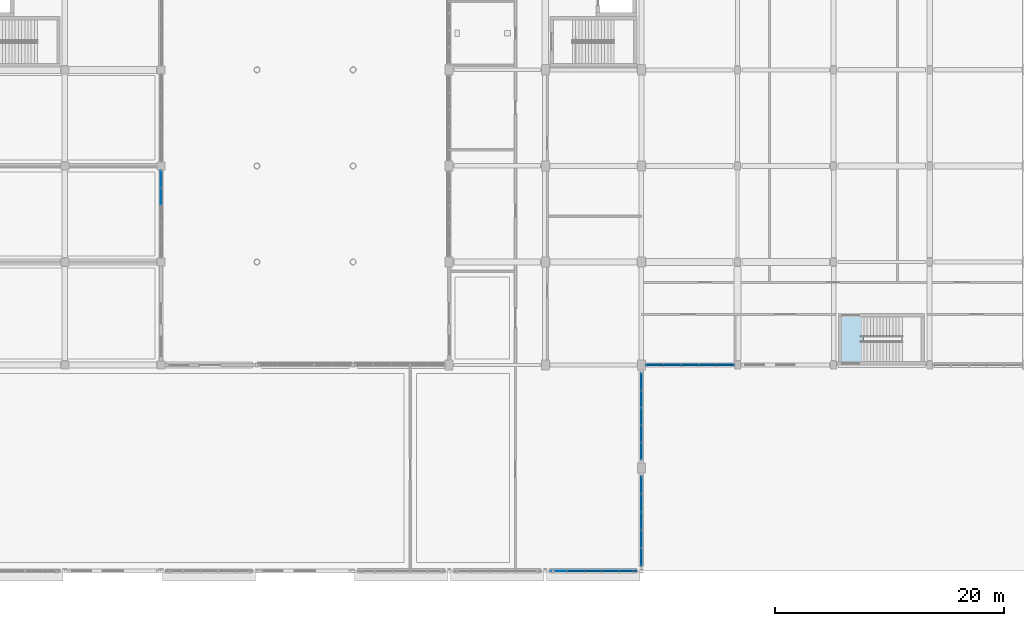
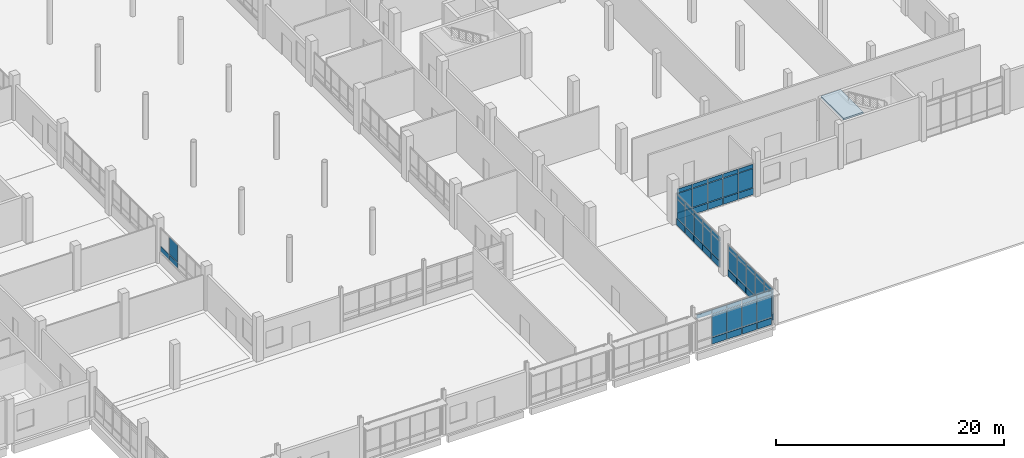
# One storey, part 65 of 95: 61 plates, 1 slab, 6 elements without a shape of their own.
"""IFC4 building model written with IfcOpenShell, lengths in metres."""

from ifc_helpers import new_model, si_unit, direction, frame, origin, origin_2d, place, context, subcontext, project, spatial, polyline, rectangle, outline, extrude, material, layer, layer_set, type_object, element, aggregate, save


model = new_model("IFC4")

# Units and contexts
model_context = context("Model", 3, precision=1e-05, world=origin(), true_north=direction((0.0, 1.0)))
body_context = subcontext(model_context, "Body", "Model", "MODEL_VIEW")
ifc_project = project(units=[si_unit("LENGTHUNIT", "METRE"), si_unit("AREAUNIT", "SQUARE_METRE"), si_unit("VOLUMEUNIT", "CUBIC_METRE"), si_unit("PLANEANGLEUNIT", "RADIAN"), si_unit("MASSUNIT", "GRAM", prefix="KILO")], contexts=[model_context])

# Site, building, storey
site_placement = place(None, origin())
site = spatial("IfcSite", under=ifc_project, at=site_placement, CompositionType="ELEMENT")
building_placement = place(site_placement, origin())
building = spatial("IfcBuilding", under=site, at=building_placement, Name="Vireocrest Preparatory School", CompositionType="ELEMENT")
storey_placement = place(building_placement, origin())
storey = spatial("IfcBuildingStorey", under=building, at=storey_placement, Name="L00", CompositionType="ELEMENT", Elevation=0.0)

# Curtain wall, plates
ifc_material_1 = material(Name="Thermally broken aluminium EN AW-6063-T6", Category="aluminium")
ifc_layer_1 = layer(ifc_material_1, 0.179931640625)
ifc_layer_set_1 = layer_set([ifc_layer_1], Name="Thermally broken aluminium EN AW-6063-T6")
curtain_wall_type_1 = type_object("IfcCurtainWallType", Name="Side Banded Curtain Wall 9000x3200", PredefinedType="USERDEFINED", material=ifc_layer_set_1)
curtain_wall_1_placement = place(storey_placement, origin())
curtain_wall_1 = element("IfcCurtainWall", 1, at=curtain_wall_1_placement, inside=storey, type_object=curtain_wall_type_1, Name="Curtain Wall CW09 CW_L00_CW09_1095_0180_000", ObjectType="CURTAIN WALL", PredefinedType="USERDEFINED")
ifc_material_2 = material(Name="Insulated triple low-e tempered safety glass", Category="glass")
ifc_layer_2 = layer(ifc_material_2, 0.074951171875)
ifc_layer_set_2 = layer_set([ifc_layer_2], Name="Insulated triple low-e tempered safety glass")
plate_type_1 = type_object("IfcPlateType", Name="Acoustic Triple-Glazed Lab Curtain Panel 75", PredefinedType="CURTAIN_PANEL", material=ifc_layer_set_2)
plate_1_placement = place(storey_placement, frame((110.35791015625, 18.0, 0.882568359375), z_axis=(0.0, 0.0, 1.0), x_axis=(1.0, 0.0, 0.0)))
plate_1 = element("IfcPlate", 2, at=plate_1_placement, type_object=plate_type_1, Name="CW Panel GL2 CW_L00_CW09_1095_0180_000-1-2", PredefinedType="CURTAIN_PANEL", context=body_context, shape_type="SweptSolid", body=[
    extrude(rectangle(XDim=1.48095703125, YDim=0.074951171875, at=origin_2d()), origin(), (0.0, 0.0, 1.0), 2.0048828125),
])
plate_2_placement = place(storey_placement, frame((110.35791015625, 18.0, 2.95263671875), z_axis=(0.0, 0.0, 1.0), x_axis=(1.0, 0.0, 0.0)))
plate_2 = element("IfcPlate", 3, at=plate_2_placement, type_object=plate_type_1, Name="CW Panel GL2 CW_L00_CW09_1095_0180_000-1-3", PredefinedType="CURTAIN_PANEL", context=body_context, shape_type="SweptSolid", body=[
    extrude(rectangle(XDim=1.48095703125, YDim=0.074951171875, at=origin_2d()), origin(), (0.0, 0.0, 1.0), 0.409912109375),
])
plate_3_placement = place(storey_placement, frame((111.904052734375, 18.0, 0.882568359375), z_axis=(0.0, 0.0, 1.0), x_axis=(1.0, 0.0, 0.0)))
plate_3 = element("IfcPlate", 4, at=plate_3_placement, type_object=plate_type_1, Name="CW Panel GL2 CW_L00_CW09_1095_0180_000-2-2", PredefinedType="CURTAIN_PANEL", context=body_context, shape_type="SweptSolid", body=[
    extrude(rectangle(XDim=1.48095703125, YDim=0.074951171875, at=origin_2d()), origin(), (0.0, 0.0, 1.0), 2.0048828125),
])
plate_4_placement = place(storey_placement, frame((111.904052734375, 18.0, 2.95263671875), z_axis=(0.0, 0.0, 1.0), x_axis=(1.0, 0.0, 0.0)))
plate_4 = element("IfcPlate", 5, at=plate_4_placement, type_object=plate_type_1, Name="CW Panel GL2 CW_L00_CW09_1095_0180_000-2-3", PredefinedType="CURTAIN_PANEL", context=body_context, shape_type="SweptSolid", body=[
    extrude(rectangle(XDim=1.48095703125, YDim=0.074951171875, at=origin_2d()), origin(), (0.0, 0.0, 1.0), 0.409912109375),
])
plate_5_placement = place(storey_placement, frame((113.449951171875, 18.0, 0.882568359375), z_axis=(0.0, 0.0, 1.0), x_axis=(1.0, 0.0, 0.0)))
plate_5 = element("IfcPlate", 6, at=plate_5_placement, type_object=plate_type_1, Name="CW Panel GL2 CW_L00_CW09_1095_0180_000-3-2", PredefinedType="CURTAIN_PANEL", context=body_context, shape_type="SweptSolid", body=[
    extrude(rectangle(XDim=1.48095703125, YDim=0.074951171875, at=origin_2d()), origin(), (0.0, 0.0, 1.0), 2.0048828125),
])
plate_6_placement = place(storey_placement, frame((113.449951171875, 18.0, 2.95263671875), z_axis=(0.0, 0.0, 1.0), x_axis=(1.0, 0.0, 0.0)))
plate_6 = element("IfcPlate", 7, at=plate_6_placement, type_object=plate_type_1, Name="CW Panel GL2 CW_L00_CW09_1095_0180_000-3-3", PredefinedType="CURTAIN_PANEL", context=body_context, shape_type="SweptSolid", body=[
    extrude(rectangle(XDim=1.48095703125, YDim=0.074951171875, at=origin_2d()), origin(), (0.0, 0.0, 1.0), 0.409912109375),
])
plate_7_placement = place(storey_placement, frame((114.99609375, 18.0, 0.882568359375), z_axis=(0.0, 0.0, 1.0), x_axis=(1.0, 0.0, 0.0)))
plate_7 = element("IfcPlate", 8, at=plate_7_placement, type_object=plate_type_1, Name="CW Panel GL2 CW_L00_CW09_1095_0180_000-4-2", PredefinedType="CURTAIN_PANEL", context=body_context, shape_type="SweptSolid", body=[
    extrude(rectangle(XDim=1.48095703125, YDim=0.074951171875, at=origin_2d()), origin(), (0.0, 0.0, 1.0), 2.0048828125),
])
plate_8_placement = place(storey_placement, frame((114.99609375, 18.0, 2.95263671875), z_axis=(0.0, 0.0, 1.0), x_axis=(1.0, 0.0, 0.0)))
plate_8 = element("IfcPlate", 9, at=plate_8_placement, type_object=plate_type_1, Name="CW Panel GL2 CW_L00_CW09_1095_0180_000-4-3", PredefinedType="CURTAIN_PANEL", context=body_context, shape_type="SweptSolid", body=[
    extrude(rectangle(XDim=1.48095703125, YDim=0.074951171875, at=origin_2d()), origin(), (0.0, 0.0, 1.0), 0.409912109375),
])
plate_9_placement = place(storey_placement, frame((116.5419921875, 18.0, 0.882568359375), z_axis=(0.0, 0.0, 1.0), x_axis=(1.0, 0.0, 0.0)))
plate_9 = element("IfcPlate", 10, at=plate_9_placement, type_object=plate_type_1, Name="CW Panel GL2 CW_L00_CW09_1095_0180_000-5-2", PredefinedType="CURTAIN_PANEL", context=body_context, shape_type="SweptSolid", body=[
    extrude(rectangle(XDim=1.48095703125, YDim=0.074951171875, at=origin_2d()), origin(), (0.0, 0.0, 1.0), 2.0048828125),
])
plate_10_placement = place(storey_placement, frame((116.5419921875, 18.0, 2.95263671875), z_axis=(0.0, 0.0, 1.0), x_axis=(1.0, 0.0, 0.0)))
plate_10 = element("IfcPlate", 11, at=plate_10_placement, type_object=plate_type_1, Name="CW Panel GL2 CW_L00_CW09_1095_0180_000-5-3", PredefinedType="CURTAIN_PANEL", context=body_context, shape_type="SweptSolid", body=[
    extrude(rectangle(XDim=1.48095703125, YDim=0.074951171875, at=origin_2d()), origin(), (0.0, 0.0, 1.0), 0.409912109375),
])

ifc_layer_3 = layer(ifc_material_1, 0.179931640625)
ifc_layer_set_3 = layer_set([ifc_layer_3], Name="Thermally broken aluminium EN AW-6063-T6")
curtain_wall_type_2 = type_object("IfcCurtainWallType", Name="Dining Side Storefront 9000x4400", PredefinedType="USERDEFINED", material=ifc_layer_set_3)
curtain_wall_2_placement = place(storey_placement, origin())
curtain_wall_2 = element("IfcCurtainWall", 12, at=curtain_wall_2_placement, inside=storey, type_object=curtain_wall_type_2, Name="Curtain Wall CW11 CW_L00_CW11_1092_0003_000", ObjectType="CURTAIN WALL", PredefinedType="USERDEFINED")
ifc_material_3 = material(Name="Painted white aluminium cladding EN AW-6063-T6", Category="aluminium")
ifc_layer_4 = layer(ifc_material_3, 0.114990234375)
ifc_layer_set_4 = layer_set([ifc_layer_4], Name="Painted white aluminium cladding EN AW-6063-T6")
plate_type_2 = type_object("IfcPlateType", Name="Insulated White Spandrel Curtain Panel 115", PredefinedType="CURTAIN_PANEL", material=ifc_layer_set_4)
plate_11_placement = place(storey_placement, frame((109.199951171875, 1.197509765625, 0.12744140625), z_axis=(0.0, 0.0, 1.0), x_axis=(0.0, 1.0, 0.0)))
plate_11 = element("IfcPlate", 13, at=plate_11_placement, type_object=plate_type_2, Name="CW Panel SP2 CW_L00_CW11_1092_0003_000-1-1", PredefinedType="CURTAIN_PANEL", context=body_context, shape_type="SweptSolid", body=[
    extrude(rectangle(XDim=1.51220703125, YDim=0.114990234375, at=origin_2d()), origin(), (0.0, 0.0, 1.0), 0.68994140625),
])
plate_12_placement = place(storey_placement, frame((109.199951171875, 2.77490234375, 0.12744140625), z_axis=(0.0, 0.0, 1.0), x_axis=(0.0, 1.0, 0.0)))
plate_12 = element("IfcPlate", 14, at=plate_12_placement, type_object=plate_type_2, Name="CW Panel SP2 CW_L00_CW11_1092_0003_000-2-1", PredefinedType="CURTAIN_PANEL", context=body_context, shape_type="SweptSolid", body=[
    extrude(rectangle(XDim=1.51220703125, YDim=0.114990234375, at=origin_2d()), origin(), (0.0, 0.0, 1.0), 0.68994140625),
])
plate_13_placement = place(storey_placement, frame((109.199951171875, 4.35205078125, 0.12744140625), z_axis=(0.0, 0.0, 1.0), x_axis=(0.0, 1.0, 0.0)))
plate_13 = element("IfcPlate", 15, at=plate_13_placement, type_object=plate_type_2, Name="CW Panel SP2 CW_L00_CW11_1092_0003_000-3-1", PredefinedType="CURTAIN_PANEL", context=body_context, shape_type="SweptSolid", body=[
    extrude(rectangle(XDim=1.51220703125, YDim=0.114990234375, at=origin_2d()), origin(), (0.0, 0.0, 1.0), 0.68994140625),
])
plate_14_placement = place(storey_placement, frame((109.199951171875, 5.92919921875, 0.12744140625), z_axis=(0.0, 0.0, 1.0), x_axis=(0.0, 1.0, 0.0)))
plate_14 = element("IfcPlate", 16, at=plate_14_placement, type_object=plate_type_2, Name="CW Panel SP2 CW_L00_CW11_1092_0003_000-4-1", PredefinedType="CURTAIN_PANEL", context=body_context, shape_type="SweptSolid", body=[
    extrude(rectangle(XDim=1.51220703125, YDim=0.114990234375, at=origin_2d()), origin(), (0.0, 0.0, 1.0), 0.68994140625),
])
plate_15_placement = place(storey_placement, frame((109.199951171875, 7.50634765625, 0.12744140625), z_axis=(0.0, 0.0, 1.0), x_axis=(0.0, 1.0, 0.0)))
plate_15 = element("IfcPlate", 17, at=plate_15_placement, type_object=plate_type_2, Name="CW Panel SP2 CW_L00_CW11_1092_0003_000-5-1", PredefinedType="CURTAIN_PANEL", context=body_context, shape_type="SweptSolid", body=[
    extrude(rectangle(XDim=1.51220703125, YDim=0.114990234375, at=origin_2d()), origin(), (0.0, 0.0, 1.0), 0.68994140625),
])

curtain_wall_3_placement = place(storey_placement, origin())
curtain_wall_3 = element("IfcCurtainWall", 18, at=curtain_wall_3_placement, inside=storey, type_object=curtain_wall_type_2, Name="Curtain Wall CW11 CW_L00_CW11_1092_0096_000", ObjectType="CURTAIN WALL", PredefinedType="USERDEFINED")
plate_16_placement = place(storey_placement, frame((109.199951171875, 10.464111328125, 0.12744140625), z_axis=(0.0, 0.0, 1.0), x_axis=(0.0, 1.0, 0.0)))
plate_16 = element("IfcPlate", 19, at=plate_16_placement, type_object=plate_type_2, Name="CW Panel SP2 CW_L00_CW11_1092_0096_000-1-1", PredefinedType="CURTAIN_PANEL", context=body_context, shape_type="SweptSolid", body=[
    extrude(rectangle(XDim=1.452880859375, YDim=0.114990234375, at=origin_2d()), origin(), (0.0, 0.0, 1.0), 0.68994140625),
])
plate_17_placement = place(storey_placement, frame((109.199951171875, 11.98193359375, 0.12744140625), z_axis=(0.0, 0.0, 1.0), x_axis=(0.0, 1.0, 0.0)))
plate_17 = element("IfcPlate", 20, at=plate_17_placement, type_object=plate_type_2, Name="CW Panel SP2 CW_L00_CW11_1092_0096_000-2-1", PredefinedType="CURTAIN_PANEL", context=body_context, shape_type="SweptSolid", body=[
    extrude(rectangle(XDim=1.452880859375, YDim=0.114990234375, at=origin_2d()), origin(), (0.0, 0.0, 1.0), 0.68994140625),
])
plate_18_placement = place(storey_placement, frame((109.199951171875, 13.5, 0.12744140625), z_axis=(0.0, 0.0, 1.0), x_axis=(0.0, 1.0, 0.0)))
plate_18 = element("IfcPlate", 21, at=plate_18_placement, type_object=plate_type_2, Name="CW Panel SP2 CW_L00_CW11_1092_0096_000-3-1", PredefinedType="CURTAIN_PANEL", context=body_context, shape_type="SweptSolid", body=[
    extrude(rectangle(XDim=1.452880859375, YDim=0.114990234375, at=origin_2d()), origin(), (0.0, 0.0, 1.0), 0.68994140625),
])
plate_19_placement = place(storey_placement, frame((109.199951171875, 15.01806640625, 0.12744140625), z_axis=(0.0, 0.0, 1.0), x_axis=(0.0, 1.0, 0.0)))
plate_19 = element("IfcPlate", 22, at=plate_19_placement, type_object=plate_type_2, Name="CW Panel SP2 CW_L00_CW11_1092_0096_000-4-1", PredefinedType="CURTAIN_PANEL", context=body_context, shape_type="SweptSolid", body=[
    extrude(rectangle(XDim=1.452880859375, YDim=0.114990234375, at=origin_2d()), origin(), (0.0, 0.0, 1.0), 0.68994140625),
])
plate_20_placement = place(storey_placement, frame((109.199951171875, 16.535888671875, 0.12744140625), z_axis=(0.0, 0.0, 1.0), x_axis=(0.0, 1.0, 0.0)))
plate_20 = element("IfcPlate", 23, at=plate_20_placement, type_object=plate_type_2, Name="CW Panel SP2 CW_L00_CW11_1092_0096_000-5-1", PredefinedType="CURTAIN_PANEL", context=body_context, shape_type="SweptSolid", body=[
    extrude(rectangle(XDim=1.452880859375, YDim=0.114990234375, at=origin_2d()), origin(), (0.0, 0.0, 1.0), 0.68994140625),
])

# Plate
plate_21_placement = place(storey_placement, frame((110.35791015625, 18.0, 0.12744140625), z_axis=(0.0, 0.0, 1.0), x_axis=(1.0, 0.0, 0.0)))
plate_21 = element("IfcPlate", 24, at=plate_21_placement, type_object=plate_type_2, Name="CW Panel SP2 CW_L00_CW09_1095_0180_000-1-1", PredefinedType="CURTAIN_PANEL", context=body_context, shape_type="SweptSolid", body=[
    extrude(rectangle(XDim=1.48095703125, YDim=0.114990234375, at=origin_2d()), origin(), (0.0, 0.0, 1.0), 0.68994140625),
])

plate_22_placement = place(storey_placement, frame((111.904052734375, 18.0, 0.12744140625), z_axis=(0.0, 0.0, 1.0), x_axis=(1.0, 0.0, 0.0)))
plate_22 = element("IfcPlate", 25, at=plate_22_placement, type_object=plate_type_2, Name="CW Panel SP2 CW_L00_CW09_1095_0180_000-2-1", PredefinedType="CURTAIN_PANEL", context=body_context, shape_type="SweptSolid", body=[
    extrude(rectangle(XDim=1.48095703125, YDim=0.114990234375, at=origin_2d()), origin(), (0.0, 0.0, 1.0), 0.68994140625),
])

plate_23_placement = place(storey_placement, frame((113.449951171875, 18.0, 0.12744140625), z_axis=(0.0, 0.0, 1.0), x_axis=(1.0, 0.0, 0.0)))
plate_23 = element("IfcPlate", 26, at=plate_23_placement, type_object=plate_type_2, Name="CW Panel SP2 CW_L00_CW09_1095_0180_000-3-1", PredefinedType="CURTAIN_PANEL", context=body_context, shape_type="SweptSolid", body=[
    extrude(rectangle(XDim=1.48095703125, YDim=0.114990234375, at=origin_2d()), origin(), (0.0, 0.0, 1.0), 0.68994140625),
])

plate_24_placement = place(storey_placement, frame((114.99609375, 18.0, 0.12744140625), z_axis=(0.0, 0.0, 1.0), x_axis=(1.0, 0.0, 0.0)))
plate_24 = element("IfcPlate", 27, at=plate_24_placement, type_object=plate_type_2, Name="CW Panel SP2 CW_L00_CW09_1095_0180_000-4-1", PredefinedType="CURTAIN_PANEL", context=body_context, shape_type="SweptSolid", body=[
    extrude(rectangle(XDim=1.48095703125, YDim=0.114990234375, at=origin_2d()), origin(), (0.0, 0.0, 1.0), 0.68994140625),
])

plate_25_placement = place(storey_placement, frame((116.5419921875, 18.0, 0.12744140625), z_axis=(0.0, 0.0, 1.0), x_axis=(1.0, 0.0, 0.0)))
plate_25 = element("IfcPlate", 28, at=plate_25_placement, type_object=plate_type_2, Name="CW Panel SP2 CW_L00_CW09_1095_0180_000-5-1", PredefinedType="CURTAIN_PANEL", context=body_context, shape_type="SweptSolid", body=[
    extrude(rectangle(XDim=1.48095703125, YDim=0.114990234375, at=origin_2d()), origin(), (0.0, 0.0, 1.0), 0.68994140625),
])

aggregate(curtain_wall_1, [plate_21, plate_1, plate_2, plate_22, plate_3, plate_4, plate_23, plate_5, plate_6, plate_24, plate_7, plate_8, plate_25, plate_9, plate_10])

# Curtain wall, plates
ifc_layer_5 = layer(ifc_material_1, 0.179931640625)
ifc_layer_set_5 = layer_set([ifc_layer_5], Name="Thermally broken aluminium EN AW-6063-T6")
curtain_wall_type_3 = type_object("IfcCurtainWallType", Name="Dining Garden Storefront 8400x4400", PredefinedType="USERDEFINED", material=ifc_layer_set_5)
curtain_wall_4_placement = place(storey_placement, origin())
curtain_wall_4 = element("IfcCurtainWall", 29, at=curtain_wall_4_placement, inside=storey, type_object=curtain_wall_type_3, Name="Curtain Wall CW10 CW_L00_CW10_1011_0000_000", ObjectType="CURTAIN WALL", PredefinedType="USERDEFINED")
plate_26_placement = place(storey_placement, frame((103.4658203125, 0.0, 0.12744140625), z_axis=(0.0, 0.0, 1.0), x_axis=(1.0, 0.0, 0.0)))
plate_26 = element("IfcPlate", 30, at=plate_26_placement, type_object=plate_type_2, Name="CW Panel SP2 CW_L00_CW10_1011_0000_000-2-1", PredefinedType="CURTAIN_PANEL", context=body_context, shape_type="SweptSolid", body=[
    extrude(rectangle(XDim=1.456787109375, YDim=0.114990234375, at=origin_2d()), origin(), (0.0, 0.0, 1.0), 0.68994140625),
])
plate_27_placement = place(storey_placement, frame((104.98779296875, 0.0, 0.12744140625), z_axis=(0.0, 0.0, 1.0), x_axis=(1.0, 0.0, 0.0)))
plate_27 = element("IfcPlate", 31, at=plate_27_placement, type_object=plate_type_2, Name="CW Panel SP2 CW_L00_CW10_1011_0000_000-3-1", PredefinedType="CURTAIN_PANEL", context=body_context, shape_type="SweptSolid", body=[
    extrude(rectangle(XDim=1.456787109375, YDim=0.114990234375, at=origin_2d()), origin(), (0.0, 0.0, 1.0), 0.68994140625),
])
plate_28_placement = place(storey_placement, frame((106.509765625, 0.0, 0.12744140625), z_axis=(0.0, 0.0, 1.0), x_axis=(1.0, 0.0, 0.0)))
plate_28 = element("IfcPlate", 32, at=plate_28_placement, type_object=plate_type_2, Name="CW Panel SP2 CW_L00_CW10_1011_0000_000-4-1", PredefinedType="CURTAIN_PANEL", context=body_context, shape_type="SweptSolid", body=[
    extrude(rectangle(XDim=1.456787109375, YDim=0.114990234375, at=origin_2d()), origin(), (0.0, 0.0, 1.0), 0.68994140625),
])
plate_29_placement = place(storey_placement, frame((108.031494140625, 0.0, 0.12744140625), z_axis=(0.0, 0.0, 1.0), x_axis=(1.0, 0.0, 0.0)))
plate_29 = element("IfcPlate", 33, at=plate_29_placement, type_object=plate_type_2, Name="CW Panel SP2 CW_L00_CW10_1011_0000_000-5-1", PredefinedType="CURTAIN_PANEL", context=body_context, shape_type="SweptSolid", body=[
    extrude(rectangle(XDim=1.456787109375, YDim=0.114990234375, at=origin_2d()), origin(), (0.0, 0.0, 1.0), 0.68994140625),
])

# Stair, slab
ifc_material_4 = material(Name="Concrete 40 MPa", Category="concrete")
stair_type = type_object("IfcStairType", Name="Feature Commons Stair 4800 Rise 1800 Wide", PredefinedType="HALF_TURN_STAIR", material=ifc_material_4)
stair_placement = place(storey_placement, origin())
stair = element("IfcStair", 34, at=stair_placement, inside=storey, type_object=stair_type, Name="Two-Run Stair ST6-L00", PredefinedType="HALF_TURN_STAIR")
ifc_layer_6 = layer(ifc_material_4, 0.179931640625)
ifc_layer_set_6 = layer_set([ifc_layer_6], Name="Concrete 40 MPa")
slab_type = type_object("IfcSlabType", Name="Precast Concrete Stair Landing Slab 180", PredefinedType="LANDING", material=ifc_layer_set_6)
slab_placement = place(storey_placement, frame((0.0, 0.0, 4.6201171875)))
slab = element("IfcSlab", 35, at=slab_placement, type_object=slab_type, Name="Stair Arrival Landing ST6-L00", PredefinedType="LANDING", context=body_context, shape_type="SweptSolid", body=[
    extrude(outline(polyline([(126.60498046875, 18.260009765625), (128.610107421875, 18.260009765625), (128.610107421875, 22.239990234375), (126.60498046875, 22.239990234375), (126.60498046875, 18.260009765625)])), origin(), (0.0, 0.0, 1.0), 0.179931640625),
])
aggregate(stair, [slab])

# Plate
ifc_layer_7 = layer(ifc_material_2, 0.06005859375)
ifc_layer_set_7 = layer_set([ifc_layer_7], Name="Insulated triple low-e tempered safety glass")
plate_type_3 = type_object("IfcPlateType", Name="Triple-Glazed Vision Curtain Panel 60", PredefinedType="CURTAIN_PANEL", material=ifc_layer_set_7)
plate_30_placement = place(storey_placement, frame((109.199951171875, 1.197509765625, 0.882568359375), z_axis=(0.0, 0.0, 1.0), x_axis=(0.0, 1.0, 0.0)))
plate_30 = element("IfcPlate", 36, at=plate_30_placement, type_object=plate_type_3, Name="CW Panel GL1 CW_L00_CW11_1092_0003_000-1-2", PredefinedType="CURTAIN_PANEL", context=body_context, shape_type="SweptSolid", body=[
    extrude(rectangle(XDim=1.51220703125, YDim=0.06005859375, at=origin_2d()), origin(), (0.0, 0.0, 1.0), 2.06494140625),
])

plate_31_placement = place(storey_placement, frame((109.199951171875, 1.197509765625, 3.0126953125), z_axis=(0.0, 0.0, 1.0), x_axis=(0.0, 1.0, 0.0)))
plate_31 = element("IfcPlate", 37, at=plate_31_placement, type_object=plate_type_3, Name="CW Panel GL1 CW_L00_CW11_1092_0003_000-1-3", PredefinedType="CURTAIN_PANEL", context=body_context, shape_type="SweptSolid", body=[
    extrude(rectangle(XDim=1.51220703125, YDim=0.06005859375, at=origin_2d()), origin(), (0.0, 0.0, 1.0), 0.409912109375),
])

plate_32_placement = place(storey_placement, frame((109.199951171875, 2.77490234375, 0.882568359375), z_axis=(0.0, 0.0, 1.0), x_axis=(0.0, 1.0, 0.0)))
plate_32 = element("IfcPlate", 38, at=plate_32_placement, type_object=plate_type_3, Name="CW Panel GL1 CW_L00_CW11_1092_0003_000-2-2", PredefinedType="CURTAIN_PANEL", context=body_context, shape_type="SweptSolid", body=[
    extrude(rectangle(XDim=1.51220703125, YDim=0.06005859375, at=origin_2d()), origin(), (0.0, 0.0, 1.0), 2.06494140625),
])

plate_33_placement = place(storey_placement, frame((109.199951171875, 2.77490234375, 3.0126953125), z_axis=(0.0, 0.0, 1.0), x_axis=(0.0, 1.0, 0.0)))
plate_33 = element("IfcPlate", 39, at=plate_33_placement, type_object=plate_type_3, Name="CW Panel GL1 CW_L00_CW11_1092_0003_000-2-3", PredefinedType="CURTAIN_PANEL", context=body_context, shape_type="SweptSolid", body=[
    extrude(rectangle(XDim=1.51220703125, YDim=0.06005859375, at=origin_2d()), origin(), (0.0, 0.0, 1.0), 0.409912109375),
])

plate_34_placement = place(storey_placement, frame((109.199951171875, 4.35205078125, 0.882568359375), z_axis=(0.0, 0.0, 1.0), x_axis=(0.0, 1.0, 0.0)))
plate_34 = element("IfcPlate", 40, at=plate_34_placement, type_object=plate_type_3, Name="CW Panel GL1 CW_L00_CW11_1092_0003_000-3-2", PredefinedType="CURTAIN_PANEL", context=body_context, shape_type="SweptSolid", body=[
    extrude(rectangle(XDim=1.51220703125, YDim=0.06005859375, at=origin_2d()), origin(), (0.0, 0.0, 1.0), 2.06494140625),
])

plate_35_placement = place(storey_placement, frame((109.199951171875, 4.35205078125, 3.0126953125), z_axis=(0.0, 0.0, 1.0), x_axis=(0.0, 1.0, 0.0)))
plate_35 = element("IfcPlate", 41, at=plate_35_placement, type_object=plate_type_3, Name="CW Panel GL1 CW_L00_CW11_1092_0003_000-3-3", PredefinedType="CURTAIN_PANEL", context=body_context, shape_type="SweptSolid", body=[
    extrude(rectangle(XDim=1.51220703125, YDim=0.06005859375, at=origin_2d()), origin(), (0.0, 0.0, 1.0), 0.409912109375),
])

plate_36_placement = place(storey_placement, frame((109.199951171875, 5.92919921875, 0.882568359375), z_axis=(0.0, 0.0, 1.0), x_axis=(0.0, 1.0, 0.0)))
plate_36 = element("IfcPlate", 42, at=plate_36_placement, type_object=plate_type_3, Name="CW Panel GL1 CW_L00_CW11_1092_0003_000-4-2", PredefinedType="CURTAIN_PANEL", context=body_context, shape_type="SweptSolid", body=[
    extrude(rectangle(XDim=1.51220703125, YDim=0.06005859375, at=origin_2d()), origin(), (0.0, 0.0, 1.0), 2.06494140625),
])

plate_37_placement = place(storey_placement, frame((109.199951171875, 5.92919921875, 3.0126953125), z_axis=(0.0, 0.0, 1.0), x_axis=(0.0, 1.0, 0.0)))
plate_37 = element("IfcPlate", 43, at=plate_37_placement, type_object=plate_type_3, Name="CW Panel GL1 CW_L00_CW11_1092_0003_000-4-3", PredefinedType="CURTAIN_PANEL", context=body_context, shape_type="SweptSolid", body=[
    extrude(rectangle(XDim=1.51220703125, YDim=0.06005859375, at=origin_2d()), origin(), (0.0, 0.0, 1.0), 0.409912109375),
])

plate_38_placement = place(storey_placement, frame((109.199951171875, 7.50634765625, 0.882568359375), z_axis=(0.0, 0.0, 1.0), x_axis=(0.0, 1.0, 0.0)))
plate_38 = element("IfcPlate", 44, at=plate_38_placement, type_object=plate_type_3, Name="CW Panel GL1 CW_L00_CW11_1092_0003_000-5-2", PredefinedType="CURTAIN_PANEL", context=body_context, shape_type="SweptSolid", body=[
    extrude(rectangle(XDim=1.51220703125, YDim=0.06005859375, at=origin_2d()), origin(), (0.0, 0.0, 1.0), 2.06494140625),
])

plate_39_placement = place(storey_placement, frame((109.199951171875, 7.50634765625, 3.0126953125), z_axis=(0.0, 0.0, 1.0), x_axis=(0.0, 1.0, 0.0)))
plate_39 = element("IfcPlate", 45, at=plate_39_placement, type_object=plate_type_3, Name="CW Panel GL1 CW_L00_CW11_1092_0003_000-5-3", PredefinedType="CURTAIN_PANEL", context=body_context, shape_type="SweptSolid", body=[
    extrude(rectangle(XDim=1.51220703125, YDim=0.06005859375, at=origin_2d()), origin(), (0.0, 0.0, 1.0), 0.409912109375),
])

aggregate(curtain_wall_2, [plate_11, plate_30, plate_31, plate_12, plate_32, plate_33, plate_13, plate_34, plate_35, plate_14, plate_36, plate_37, plate_15, plate_38, plate_39])

plate_40_placement = place(storey_placement, frame((109.199951171875, 10.464111328125, 0.88232421875), z_axis=(0.0, 0.0, 1.0), x_axis=(0.0, 1.0, 0.0)))
plate_40 = element("IfcPlate", 46, at=plate_40_placement, type_object=plate_type_3, Name="CW Panel GL1 CW_L00_CW11_1092_0096_000-1-2", PredefinedType="CURTAIN_PANEL", context=body_context, shape_type="SweptSolid", body=[
    extrude(rectangle(XDim=1.452880859375, YDim=0.06005859375, at=origin_2d()), origin(), (0.0, 0.0, 1.0), 2.014892578125),
])

plate_41_placement = place(storey_placement, frame((109.199951171875, 10.464111328125, 2.96240234375), z_axis=(0.0, 0.0, 1.0), x_axis=(0.0, 1.0, 0.0)))
plate_41 = element("IfcPlate", 47, at=plate_41_placement, type_object=plate_type_3, Name="CW Panel GL1 CW_L00_CW11_1092_0096_000-1-3", PredefinedType="CURTAIN_PANEL", context=body_context, shape_type="SweptSolid", body=[
    extrude(rectangle(XDim=1.452880859375, YDim=0.06005859375, at=origin_2d()), origin(), (0.0, 0.0, 1.0), 0.409912109375),
])

plate_42_placement = place(storey_placement, frame((109.199951171875, 11.98193359375, 0.88232421875), z_axis=(0.0, 0.0, 1.0), x_axis=(0.0, 1.0, 0.0)))
plate_42 = element("IfcPlate", 48, at=plate_42_placement, type_object=plate_type_3, Name="CW Panel GL1 CW_L00_CW11_1092_0096_000-2-2", PredefinedType="CURTAIN_PANEL", context=body_context, shape_type="SweptSolid", body=[
    extrude(rectangle(XDim=1.452880859375, YDim=0.06005859375, at=origin_2d()), origin(), (0.0, 0.0, 1.0), 2.014892578125),
])

plate_43_placement = place(storey_placement, frame((109.199951171875, 11.98193359375, 2.96240234375), z_axis=(0.0, 0.0, 1.0), x_axis=(0.0, 1.0, 0.0)))
plate_43 = element("IfcPlate", 49, at=plate_43_placement, type_object=plate_type_3, Name="CW Panel GL1 CW_L00_CW11_1092_0096_000-2-3", PredefinedType="CURTAIN_PANEL", context=body_context, shape_type="SweptSolid", body=[
    extrude(rectangle(XDim=1.452880859375, YDim=0.06005859375, at=origin_2d()), origin(), (0.0, 0.0, 1.0), 0.409912109375),
])

plate_44_placement = place(storey_placement, frame((109.199951171875, 13.5, 0.88232421875), z_axis=(0.0, 0.0, 1.0), x_axis=(0.0, 1.0, 0.0)))
plate_44 = element("IfcPlate", 50, at=plate_44_placement, type_object=plate_type_3, Name="CW Panel GL1 CW_L00_CW11_1092_0096_000-3-2", PredefinedType="CURTAIN_PANEL", context=body_context, shape_type="SweptSolid", body=[
    extrude(rectangle(XDim=1.452880859375, YDim=0.06005859375, at=origin_2d()), origin(), (0.0, 0.0, 1.0), 2.014892578125),
])

plate_45_placement = place(storey_placement, frame((109.199951171875, 13.5, 2.96240234375), z_axis=(0.0, 0.0, 1.0), x_axis=(0.0, 1.0, 0.0)))
plate_45 = element("IfcPlate", 51, at=plate_45_placement, type_object=plate_type_3, Name="CW Panel GL1 CW_L00_CW11_1092_0096_000-3-3", PredefinedType="CURTAIN_PANEL", context=body_context, shape_type="SweptSolid", body=[
    extrude(rectangle(XDim=1.452880859375, YDim=0.06005859375, at=origin_2d()), origin(), (0.0, 0.0, 1.0), 0.409912109375),
])

plate_46_placement = place(storey_placement, frame((109.199951171875, 15.01806640625, 0.88232421875), z_axis=(0.0, 0.0, 1.0), x_axis=(0.0, 1.0, 0.0)))
plate_46 = element("IfcPlate", 52, at=plate_46_placement, type_object=plate_type_3, Name="CW Panel GL1 CW_L00_CW11_1092_0096_000-4-2", PredefinedType="CURTAIN_PANEL", context=body_context, shape_type="SweptSolid", body=[
    extrude(rectangle(XDim=1.452880859375, YDim=0.06005859375, at=origin_2d()), origin(), (0.0, 0.0, 1.0), 2.014892578125),
])

plate_47_placement = place(storey_placement, frame((109.199951171875, 15.01806640625, 2.96240234375), z_axis=(0.0, 0.0, 1.0), x_axis=(0.0, 1.0, 0.0)))
plate_47 = element("IfcPlate", 53, at=plate_47_placement, type_object=plate_type_3, Name="CW Panel GL1 CW_L00_CW11_1092_0096_000-4-3", PredefinedType="CURTAIN_PANEL", context=body_context, shape_type="SweptSolid", body=[
    extrude(rectangle(XDim=1.452880859375, YDim=0.06005859375, at=origin_2d()), origin(), (0.0, 0.0, 1.0), 0.409912109375),
])

plate_48_placement = place(storey_placement, frame((109.199951171875, 16.535888671875, 0.88232421875), z_axis=(0.0, 0.0, 1.0), x_axis=(0.0, 1.0, 0.0)))
plate_48 = element("IfcPlate", 54, at=plate_48_placement, type_object=plate_type_3, Name="CW Panel GL1 CW_L00_CW11_1092_0096_000-5-2", PredefinedType="CURTAIN_PANEL", context=body_context, shape_type="SweptSolid", body=[
    extrude(rectangle(XDim=1.452880859375, YDim=0.06005859375, at=origin_2d()), origin(), (0.0, 0.0, 1.0), 2.014892578125),
])

plate_49_placement = place(storey_placement, frame((109.199951171875, 16.535888671875, 2.96240234375), z_axis=(0.0, 0.0, 1.0), x_axis=(0.0, 1.0, 0.0)))
plate_49 = element("IfcPlate", 55, at=plate_49_placement, type_object=plate_type_3, Name="CW Panel GL1 CW_L00_CW11_1092_0096_000-5-3", PredefinedType="CURTAIN_PANEL", context=body_context, shape_type="SweptSolid", body=[
    extrude(rectangle(XDim=1.452880859375, YDim=0.06005859375, at=origin_2d()), origin(), (0.0, 0.0, 1.0), 0.409912109375),
])

aggregate(curtain_wall_3, [plate_16, plate_40, plate_41, plate_17, plate_42, plate_43, plate_18, plate_44, plate_45, plate_19, plate_46, plate_47, plate_20, plate_48, plate_49])

plate_50_placement = place(storey_placement, frame((101.944091796875, 0.0, 3.359375), z_axis=(0.0, 0.0, 1.0), x_axis=(1.0, 0.0, 0.0)))
plate_50 = element("IfcPlate", 56, at=plate_50_placement, type_object=plate_type_3, Name="CW Panel GL1 CW_L00_CW10_1011_0000_000-1-3", PredefinedType="CURTAIN_PANEL", context=body_context, shape_type="SweptSolid", body=[
    extrude(rectangle(XDim=1.456787109375, YDim=0.06005859375, at=origin_2d()), origin(), (0.0, 0.0, 1.0), 0.409912109375),
])

plate_51_placement = place(storey_placement, frame((103.4658203125, 0.0, 0.88232421875), z_axis=(0.0, 0.0, 1.0), x_axis=(1.0, 0.0, 0.0)))
plate_51 = element("IfcPlate", 57, at=plate_51_placement, type_object=plate_type_3, Name="CW Panel GL1 CW_L00_CW10_1011_0000_000-2-2", PredefinedType="CURTAIN_PANEL", context=body_context, shape_type="SweptSolid", body=[
    extrude(rectangle(XDim=1.456787109375, YDim=0.06005859375, at=origin_2d()), origin(), (0.0, 0.0, 1.0), 2.412109375),
])

plate_52_placement = place(storey_placement, frame((103.4658203125, 0.0, 3.359375), z_axis=(0.0, 0.0, 1.0), x_axis=(1.0, 0.0, 0.0)))
plate_52 = element("IfcPlate", 58, at=plate_52_placement, type_object=plate_type_3, Name="CW Panel GL1 CW_L00_CW10_1011_0000_000-2-3", PredefinedType="CURTAIN_PANEL", context=body_context, shape_type="SweptSolid", body=[
    extrude(rectangle(XDim=1.456787109375, YDim=0.06005859375, at=origin_2d()), origin(), (0.0, 0.0, 1.0), 0.409912109375),
])

plate_53_placement = place(storey_placement, frame((104.98779296875, 0.0, 0.88232421875), z_axis=(0.0, 0.0, 1.0), x_axis=(1.0, 0.0, 0.0)))
plate_53 = element("IfcPlate", 59, at=plate_53_placement, type_object=plate_type_3, Name="CW Panel GL1 CW_L00_CW10_1011_0000_000-3-2", PredefinedType="CURTAIN_PANEL", context=body_context, shape_type="SweptSolid", body=[
    extrude(rectangle(XDim=1.456787109375, YDim=0.06005859375, at=origin_2d()), origin(), (0.0, 0.0, 1.0), 2.412109375),
])

plate_54_placement = place(storey_placement, frame((104.98779296875, 0.0, 3.359375), z_axis=(0.0, 0.0, 1.0), x_axis=(1.0, 0.0, 0.0)))
plate_54 = element("IfcPlate", 60, at=plate_54_placement, type_object=plate_type_3, Name="CW Panel GL1 CW_L00_CW10_1011_0000_000-3-3", PredefinedType="CURTAIN_PANEL", context=body_context, shape_type="SweptSolid", body=[
    extrude(rectangle(XDim=1.456787109375, YDim=0.06005859375, at=origin_2d()), origin(), (0.0, 0.0, 1.0), 0.409912109375),
])

plate_55_placement = place(storey_placement, frame((106.509765625, 0.0, 0.88232421875), z_axis=(0.0, 0.0, 1.0), x_axis=(1.0, 0.0, 0.0)))
plate_55 = element("IfcPlate", 61, at=plate_55_placement, type_object=plate_type_3, Name="CW Panel GL1 CW_L00_CW10_1011_0000_000-4-2", PredefinedType="CURTAIN_PANEL", context=body_context, shape_type="SweptSolid", body=[
    extrude(rectangle(XDim=1.456787109375, YDim=0.06005859375, at=origin_2d()), origin(), (0.0, 0.0, 1.0), 2.412109375),
])

plate_56_placement = place(storey_placement, frame((106.509765625, 0.0, 3.359375), z_axis=(0.0, 0.0, 1.0), x_axis=(1.0, 0.0, 0.0)))
plate_56 = element("IfcPlate", 62, at=plate_56_placement, type_object=plate_type_3, Name="CW Panel GL1 CW_L00_CW10_1011_0000_000-4-3", PredefinedType="CURTAIN_PANEL", context=body_context, shape_type="SweptSolid", body=[
    extrude(rectangle(XDim=1.456787109375, YDim=0.06005859375, at=origin_2d()), origin(), (0.0, 0.0, 1.0), 0.409912109375),
])

plate_57_placement = place(storey_placement, frame((108.031494140625, 0.0, 0.88232421875), z_axis=(0.0, 0.0, 1.0), x_axis=(1.0, 0.0, 0.0)))
plate_57 = element("IfcPlate", 63, at=plate_57_placement, type_object=plate_type_3, Name="CW Panel GL1 CW_L00_CW10_1011_0000_000-5-2", PredefinedType="CURTAIN_PANEL", context=body_context, shape_type="SweptSolid", body=[
    extrude(rectangle(XDim=1.456787109375, YDim=0.06005859375, at=origin_2d()), origin(), (0.0, 0.0, 1.0), 2.412109375),
])

plate_58_placement = place(storey_placement, frame((108.031494140625, 0.0, 3.359375), z_axis=(0.0, 0.0, 1.0), x_axis=(1.0, 0.0, 0.0)))
plate_58 = element("IfcPlate", 64, at=plate_58_placement, type_object=plate_type_3, Name="CW Panel GL1 CW_L00_CW10_1011_0000_000-5-3", PredefinedType="CURTAIN_PANEL", context=body_context, shape_type="SweptSolid", body=[
    extrude(rectangle(XDim=1.456787109375, YDim=0.06005859375, at=origin_2d()), origin(), (0.0, 0.0, 1.0), 0.409912109375),
])

aggregate(curtain_wall_4, [plate_50, plate_26, plate_51, plate_52, plate_27, plate_53, plate_54, plate_28, plate_55, plate_56, plate_29, plate_57, plate_58])

# Curtain wall, plates
ifc_layer_8 = layer(ifc_material_1, 0.179931640625)
ifc_layer_set_8 = layer_set([ifc_layer_8], Name="Thermally broken aluminium EN AW-6063-T6")
curtain_wall_type_4 = type_object("IfcCurtainWallType", Name="Court Banded Curtain Wall 8400x3600", PredefinedType="USERDEFINED", material=ifc_layer_set_8)
curtain_wall_5_placement = place(storey_placement, origin())
curtain_wall_5 = element("IfcCurtainWall", 65, at=curtain_wall_5_placement, inside=storey, type_object=curtain_wall_type_4, Name="Curtain Wall CW01 CW_L00_CW01_0672_0273_012", ObjectType="CURTAIN WALL", PredefinedType="USERDEFINED")
plate_59_placement = place(storey_placement, frame((67.199951171875, 32.72607421875, 1.277587890625), z_axis=(0.0, 0.0, 1.0), x_axis=(0.0, 1.0, 0.0)))
plate_59 = element("IfcPlate", 66, at=plate_59_placement, type_object=plate_type_3, Name="CW Panel GL1 CW_L00_CW01_0672_0273_012-4-1", PredefinedType="CURTAIN_PANEL", context=body_context, shape_type="SweptSolid", body=[
    extrude(rectangle(XDim=1.4609375, YDim=0.06005859375, at=origin_2d()), origin(), (0.0, 0.0, 1.0), 0.5400390625),
])
plate_60_placement = place(storey_placement, frame((67.199951171875, 32.72607421875, 1.88232421875), z_axis=(0.0, 0.0, 1.0), x_axis=(0.0, 1.0, 0.0)))
plate_60 = element("IfcPlate", 67, at=plate_60_placement, type_object=plate_type_3, Name="CW Panel GL1 CW_L00_CW01_0672_0273_012-4-2", PredefinedType="CURTAIN_PANEL", context=body_context, shape_type="SweptSolid", body=[
    extrude(rectangle(XDim=1.4609375, YDim=0.06005859375, at=origin_2d()), origin(), (0.0, 0.0, 1.0), 1.820068359375),
])
plate_61_placement = place(storey_placement, frame((67.199951171875, 34.251953125, 1.277587890625), z_axis=(0.0, 0.0, 1.0), x_axis=(0.0, 1.0, 0.0)))
plate_61 = element("IfcPlate", 68, at=plate_61_placement, type_object=plate_type_3, Name="CW Panel GL1 CW_L00_CW01_0672_0273_012-5-1", PredefinedType="CURTAIN_PANEL", context=body_context, shape_type="SweptSolid", body=[
    extrude(rectangle(XDim=1.4609375, YDim=0.06005859375, at=origin_2d()), origin(), (0.0, 0.0, 1.0), 0.5400390625),
])
aggregate(curtain_wall_5, [plate_59, plate_60, plate_61])

save(model, "model.ifc")
